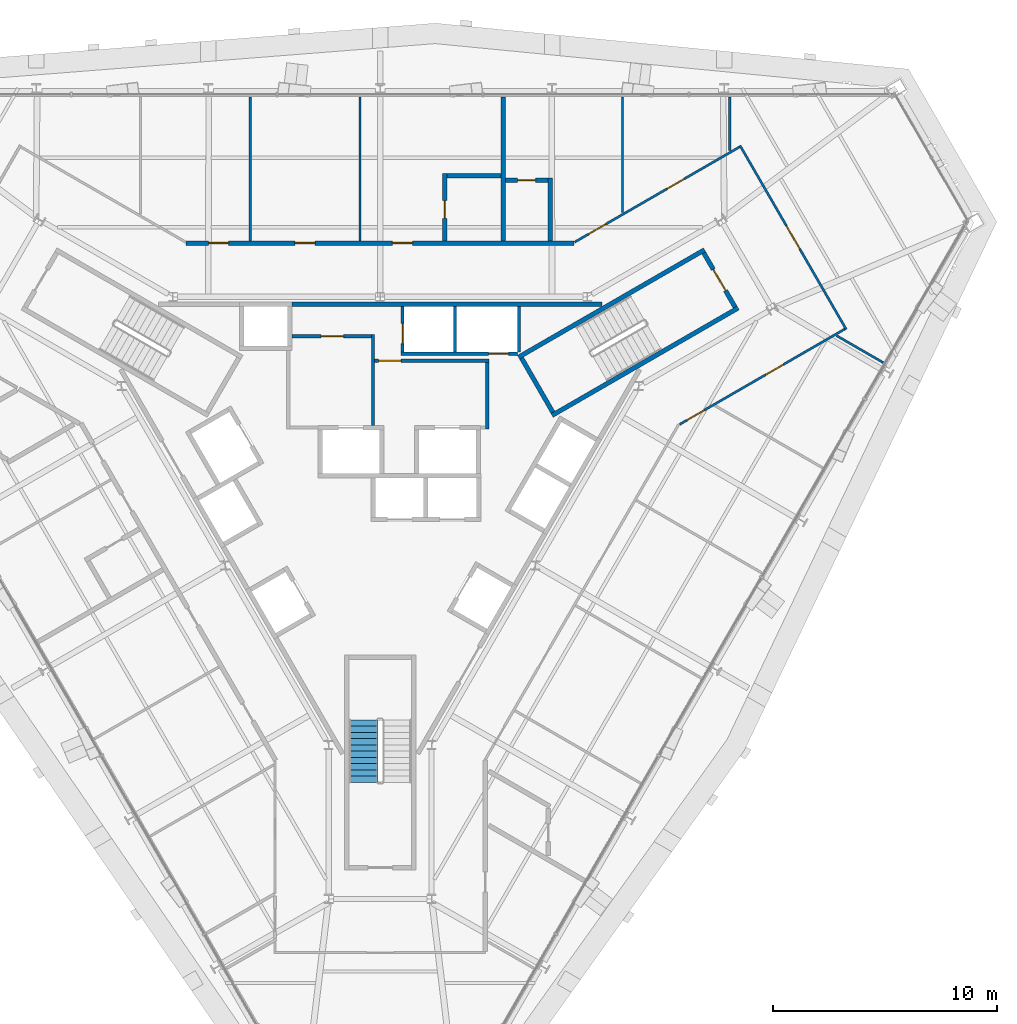
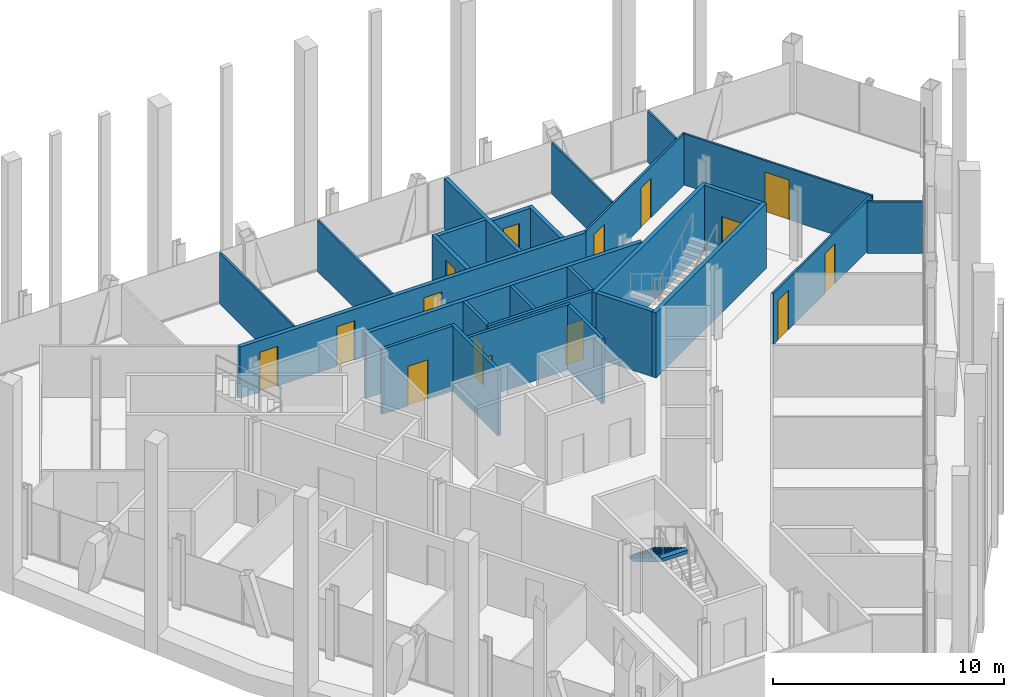
# One storey, part 10 of 13: 27 walls, 15 doors, 1 stair flight, 15 openings, 1 element without a shape of its own.
"""IFC4 building model written with IfcOpenShell, lengths in metres."""

from ifc_helpers import new_model, si_unit, direction, frame, frame_2d, origin, place, context, subcontext, project, spatial, polyline, rectangle, outline, extrude, material, layer, layer_set, type_object, element, fill, aggregate, save


model = new_model("IFC4")

# Units and contexts
model_context = context("Model", 3, precision=1e-05, world=origin(), true_north=direction((0.0, 1.0)))
body_context = subcontext(model_context, "Body", "Model", "MODEL_VIEW")
ifc_project = project(units=[si_unit("LENGTHUNIT", "METRE"), si_unit("AREAUNIT", "SQUARE_METRE"), si_unit("VOLUMEUNIT", "CUBIC_METRE"), si_unit("PLANEANGLEUNIT", "RADIAN"), si_unit("MASSUNIT", "GRAM", prefix="KILO")], contexts=[model_context])

# Site, building, storey
site_placement = place(None, origin())
site = spatial("IfcSite", under=ifc_project, at=site_placement, CompositionType="ELEMENT")
building_placement = place(site_placement, origin())
building = spatial("IfcBuilding", under=site, at=building_placement, Name="Verrane Prism Tower", CompositionType="ELEMENT")
storey_placement = place(building_placement, frame((0.0, 0.0, 159.89990234375)))
storey = spatial("IfcBuildingStorey", under=building, at=storey_placement, Name="L39", CompositionType="ELEMENT", Elevation=159.89990234375)

# Wall
ifc_material_1 = material(Name="Gypsum board partition", Category="other")
ifc_layer_1 = layer(ifc_material_1, 0.199951171875)
ifc_layer_set_1 = layer_set([ifc_layer_1], Name="CW-200 core boundary wall 2 h")
wall_type_1 = type_object("IfcWallType", Name="CW-200 core boundary wall 2 h", PredefinedType="PARTITIONING", material=ifc_layer_set_1)
wall_1_placement = place(storey_placement, frame((-3.93310546875, 7.659912109375, 0.0), z_axis=(0.0, 0.0, 1.0), x_axis=(1.0, 0.0, 0.0)))
element("IfcWall", 1, at=wall_1_placement, inside=storey, type_object=wall_type_1, Name="Core boundary wall CW3-005", PredefinedType="PARTITIONING", context=body_context, shape_type="SweptSolid", body=[
    extrude(rectangle(XDim=13.841064453125, YDim=0.199951171875, at=frame_2d((6.92041015625, 0.0))), origin(), (0.0, 0.0, 1.0), 3.4501953125),
])

# Wall, opening, door
ifc_material_2 = material(Name="Concrete C40/50", Category="concrete")
ifc_layer_2 = layer(ifc_material_2, 0.199951171875)
ifc_layer_set_2 = layer_set([ifc_layer_2], Name="CW-200 stair core wall concrete C40/50 3 h")
wall_type_2 = type_object("IfcWallType", Name="CW-200 stair core wall concrete C40/50 3 h", PredefinedType="PARTITIONING", material=ifc_layer_set_2)
wall_2_placement = place(storey_placement, frame((15.85546875, 7.53759765625, 0.0), z_axis=(0.0, 0.0, 1.0), x_axis=(-0.500049511043, 0.865996816683, 0.0)))
wall_2 = element("IfcWall", 2, at=wall_2_placement, inside=storey, type_object=wall_type_2, Name="Stair 1 enclosure wall", PredefinedType="PARTITIONING", context=body_context, shape_type="SweptSolid", body=[
    extrude(rectangle(XDim=2.800048828125, YDim=0.199951171875, at=frame_2d((1.39990234375, 0.0))), origin(), (0.0, 0.0, 1.0), 3.4501953125),
])
opening_1_placement = place(wall_2_placement, frame((0.849853515625, 0.0, 0.0)))
opening_1 = element("IfcOpeningElement", 3, at=opening_1_placement, cuts=wall_2, Name="Opening D39500", PredefinedType="OPENING", context=body_context, shape_type="SweptSolid", body=[
    extrude(rectangle(XDim=1.10009765625, YDim=2.10009765625, at=frame_2d((0.550048828125, 1.050048828125))), frame((0.0, 0.10986328125, 0.0), z_axis=(0.0, -1.0, 0.0), x_axis=(1.0, 0.0, 0.0)), (0.0, 0.0, 1.0), 0.219970703125),
])
ifc_material_3 = material(Name="Timber veneered door leaf", Category="wood")
door_type_1 = type_object("IfcDoorType", Name="DR-1100x2100 FD90 single leaf stair", OperationType="NOTDEFINED", PredefinedType="DOOR", material=ifc_material_3)
door_1_placement = place(opening_1_placement, origin())
door_1 = element("IfcDoor", 4, at=door_1_placement, inside=storey, type_object=door_type_1, Name="Stair 1 door", OperationType="SINGLE_SWING_LEFT", OverallHeight=2.10009765625, OverallWidth=1.10009765625, PredefinedType="DOOR", context=body_context, shape_type="SweptSolid", body=[
    extrude(rectangle(XDim=1.10009765625, YDim=2.10009765625, at=frame_2d((0.550048828125, 1.050048828125))), frame((0.0, 0.02490234375, 0.0), z_axis=(0.0, -1.0, 0.0), x_axis=(1.0, 0.0, 0.0)), (0.0, 0.0, 1.0), 0.050048828125),
])
fill(opening_1, door_1)

# Walls
for number, where, z_axis, x_axis, name in (
    (5, (6.17822265625, 5.299072265625, 0.0), (0.0, 0.0, 1.0), (0.866019993635, 0.500009370536, 0.0), "Stair 1 enclosure wall"),
    (6, (7.67822265625, 2.700927734375, 0.0), (0.0, 0.0, 1.0), (0.866019993635, 0.500009370536, 0.0), "Stair 1 enclosure wall"),
):
    element("IfcWall", number, at=place(storey_placement, frame(where, z_axis=z_axis, x_axis=x_axis)), inside=storey, type_object=wall_type_2, Name=name, PredefinedType="PARTITIONING", context=body_context, shape_type="SweptSolid", body=[
        extrude(rectangle(XDim=9.599853515625, YDim=0.199951171875, at=frame_2d((4.7998046875, 0.0))), origin(), (0.0, 0.0, 1.0), 3.4501953125),
    ])
wall_3_placement = place(storey_placement, frame((7.71484375, 2.837646484375, 0.0), z_axis=(0.0, 0.0, 1.0), x_axis=(-0.500049511043, 0.865996816683, 0.0)))
element("IfcWall", 7, at=wall_3_placement, inside=storey, type_object=wall_type_2, Name="Stair 1 enclosure wall", PredefinedType="PARTITIONING", context=body_context, shape_type="SweptSolid", body=[
    extrude(rectangle(XDim=2.800048828125, YDim=0.199951171875, at=frame_2d((1.39990234375, 0.0))), origin(), (0.0, 0.0, 1.0), 3.4501953125),
])

# Wall, opening, door
ifc_material_4 = material(Name="Gypsum board partition", Category="other")
ifc_layer_3 = layer(ifc_material_4, 0.14990234375)
ifc_layer_set_3 = layer_set([ifc_layer_3], Name="LF-150 firefighting lobby wall 1 h")
wall_type_3 = type_object("IfcWallType", Name="LF-150 firefighting lobby wall 1 h", PredefinedType="PARTITIONING", material=ifc_layer_set_3)
wall_4_placement = place(storey_placement, frame((-3.93310546875, 6.239990234375, 0.0), z_axis=(0.0, 0.0, 1.0), x_axis=(1.0, 0.0, 0.0)))
wall_4 = element("IfcWall", 8, at=wall_4_placement, inside=storey, type_object=wall_type_3, Name="Firefighting lobby wall LF1-003", PredefinedType="PARTITIONING", context=body_context, shape_type="SweptSolid", body=[
    extrude(rectangle(XDim=3.5380859375, YDim=0.14990234375, at=frame_2d((1.76904296875, 0.0))), origin(), (0.0, 0.0, 1.0), 3.4501953125),
])
opening_2_placement = place(wall_4_placement, frame((1.300048828125, 0.0, 0.0)))
opening_2 = element("IfcOpeningElement", 9, at=opening_2_placement, cuts=wall_4, Name="Opening D39511", PredefinedType="OPENING", context=body_context, shape_type="SweptSolid", body=[
    extrude(rectangle(XDim=1.0, YDim=2.10009765625, at=frame_2d((0.5, 1.050048828125))), frame((0.0, 0.0849609375, 0.0), z_axis=(0.0, -1.0, 0.0), x_axis=(1.0, 0.0, 0.0)), (0.0, 0.0, 1.0), 0.169921875),
])
ifc_material_5 = material(Name="Timber veneered door leaf", Category="wood")
door_type_2 = type_object("IfcDoorType", Name="DR-1000x2100 FD60 single leaf firefighting lobby", OperationType="NOTDEFINED", PredefinedType="DOOR", material=ifc_material_5)
door_2_placement = place(opening_2_placement, origin())
door_2 = element("IfcDoor", 10, at=door_2_placement, inside=storey, type_object=door_type_2, Name="Firefighting lobby door D39511", OperationType="SINGLE_SWING_LEFT", OverallHeight=2.10009765625, OverallWidth=1.0, PredefinedType="DOOR", context=body_context, shape_type="SweptSolid", body=[
    extrude(rectangle(XDim=1.0, YDim=2.10009765625, at=frame_2d((0.5, 1.050048828125))), frame((0.0, 0.02490234375, 0.0), z_axis=(0.0, -1.0, 0.0), x_axis=(1.0, 0.0, 0.0)), (0.0, 0.0, 1.0), 0.050048828125),
])
fill(opening_2, door_2)

# Wall
wall_5_placement = place(storey_placement, frame((-0.320068359375, 2.251953125, 0.0), z_axis=(0.0, 0.0, 1.0), x_axis=(0.0, 1.0, 0.0)))
element("IfcWall", 11, at=wall_5_placement, inside=storey, type_object=wall_type_3, Name="Firefighting lobby wall LF1-004", PredefinedType="PARTITIONING", context=body_context, shape_type="SweptSolid", body=[
    extrude(rectangle(XDim=4.06298828125, YDim=0.14990234375, at=frame_2d((2.031494140625, 0.0))), origin(), (0.0, 0.0, 1.0), 3.4501953125),
])

# Wall, opening, door
wall_6_placement = place(storey_placement, frame((-0.2451171875, 5.139892578125, 0.0), z_axis=(0.0, 0.0, 1.0), x_axis=(1.0, 0.0, 0.0)))
wall_6 = element("IfcWall", 12, at=wall_6_placement, inside=storey, type_object=wall_type_3, Name="Firefighting lobby wall LF1-005", PredefinedType="PARTITIONING", context=body_context, shape_type="SweptSolid", body=[
    extrude(rectangle(XDim=5.110107421875, YDim=0.14990234375, at=frame_2d((2.55517578125, 0.0))), origin(), (0.0, 0.0, 1.0), 3.4501953125),
])
opening_3_placement = place(wall_6_placement, frame((0.175048828125, 0.0, 0.0)))
opening_3 = element("IfcOpeningElement", 13, at=opening_3_placement, cuts=wall_6, Name="Opening D39512", PredefinedType="OPENING", context=body_context, shape_type="SweptSolid", body=[
    extrude(rectangle(XDim=1.0, YDim=2.10009765625, at=frame_2d((0.5, 1.050048828125))), frame((0.0, 0.0849609375, 0.0), z_axis=(0.0, -1.0, 0.0), x_axis=(1.0, 0.0, 0.0)), (0.0, 0.0, 1.0), 0.169921875),
])
door_3_placement = place(opening_3_placement, origin())
door_3 = element("IfcDoor", 14, at=door_3_placement, inside=storey, type_object=door_type_2, Name="Firefighting lobby door D39512", OperationType="SINGLE_SWING_LEFT", OverallHeight=2.10009765625, OverallWidth=1.0, PredefinedType="DOOR", context=body_context, shape_type="SweptSolid", body=[
    extrude(rectangle(XDim=1.0, YDim=2.10009765625, at=frame_2d((0.5, 1.050048828125))), frame((0.0, 0.02490234375, 0.0), z_axis=(0.0, -1.0, 0.0), x_axis=(1.0, 0.0, 0.0)), (0.0, 0.0, 1.0), 0.050048828125),
])
fill(opening_3, door_3)

# Walls
wall_7_placement = place(storey_placement, frame((4.7900390625, 2.0849609375, 0.0), z_axis=(0.0, 0.0, 1.0), x_axis=(0.0, 1.0, 0.0)))
element("IfcWall", 15, at=wall_7_placement, inside=storey, type_object=wall_type_3, Name="Firefighting lobby wall LF1-007", PredefinedType="PARTITIONING", context=body_context, shape_type="SweptSolid", body=[
    extrude(rectangle(XDim=2.97998046875, YDim=0.14990234375, at=frame_2d((1.489990234375, 0.0))), origin(), (0.0, 0.0, 1.0), 3.4501953125),
])
ifc_material_6 = material(Name="Gypsum board partition", Category="other")
ifc_layer_4 = layer(ifc_material_6, 0.10009765625)
ifc_layer_set_4 = layer_set([ifc_layer_4], Name="PW-100 room partition")
wall_type_4 = type_object("IfcWallType", Name="PW-100 room partition", PredefinedType="PARTITIONING", material=ifc_layer_set_4)
for number, where, z_axis, x_axis, name in (
    (16, (-5.81005859375, 10.5, 0.0), (0.0, 0.0, 1.0), (0.0, 1.0, 0.0), "Room partition 020"),
    (17, (-0.906005859375, 10.5, 0.0), (0.0, 0.0, 1.0), (0.0, 1.0, 0.0), "Room partition 025"),
):
    element("IfcWall", number, at=place(storey_placement, frame(where, z_axis=z_axis, x_axis=x_axis)), inside=storey, type_object=wall_type_4, Name=name, PredefinedType="PARTITIONING", context=body_context, shape_type="SweptSolid", body=[
        extrude(rectangle(XDim=6.43505859375, YDim=0.10009765625, at=frame_2d((3.217529296875, 0.0))), origin(), (0.0, 0.0, 1.0), 2.713134765625),
    ])

# Wall, openings, doors
wall_8_placement = place(storey_placement, frame((8.690673828125, 10.4423828125, 0.0), z_axis=(0.0, 0.0, 1.0), x_axis=(0.866070360466, 0.499922124658, 0.0)))
wall_8 = element("IfcWall", 18, at=wall_8_placement, inside=storey, type_object=wall_type_4, Name="Room partition 038", PredefinedType="PARTITIONING", context=body_context, shape_type="SweptSolid", body=[
    extrude(rectangle(XDim=8.502685546875, YDim=0.10009765625, at=frame_2d((4.25146484375, 0.0))), origin(), (0.0, 0.0, 1.0), 2.713134765625),
])
opening_4_placement = place(wall_8_placement, frame((4.758056640625, 0.0, 0.0)))
opening_4 = element("IfcOpeningElement", 19, at=opening_4_placement, cuts=wall_8, Name="Opening D39009", PredefinedType="OPENING", context=body_context, shape_type="SweptSolid", body=[
    extrude(rectangle(XDim=0.89990234375, YDim=2.10009765625, at=frame_2d((0.449951171875, 1.050048828125))), frame((0.0, 0.06005859375, 0.0), z_axis=(0.0, -1.0, 0.0), x_axis=(1.0, 0.0, 0.0)), (0.0, 0.0, 1.0), 0.1201171875),
])
opening_5_placement = place(wall_8_placement, frame((0.715087890625, 0.0, 0.0)))
opening_5 = element("IfcOpeningElement", 20, at=opening_5_placement, cuts=wall_8, Name="Opening D39010", PredefinedType="OPENING", context=body_context, shape_type="SweptSolid", body=[
    extrude(rectangle(XDim=0.89990234375, YDim=2.10009765625, at=frame_2d((0.449951171875, 1.050048828125))), frame((0.0, 0.06005859375, 0.0), z_axis=(0.0, -1.0, 0.0), x_axis=(1.0, 0.0, 0.0)), (0.0, 0.0, 1.0), 0.1201171875),
])
ifc_material_7 = material(Name="Timber veneered door leaf", Category="wood")
door_type_3 = type_object("IfcDoorType", Name="DR-900x2100 single leaf inner", OperationType="NOTDEFINED", PredefinedType="DOOR", material=ifc_material_7)
door_4_placement = place(opening_5_placement, origin())
door_4 = element("IfcDoor", 21, at=door_4_placement, inside=storey, type_object=door_type_3, Name="Bedroom door", OperationType="SINGLE_SWING_RIGHT", OverallHeight=2.10009765625, OverallWidth=0.89990234375, PredefinedType="DOOR", context=body_context, shape_type="SweptSolid", body=[
    extrude(rectangle(XDim=0.89990234375, YDim=2.10009765625, at=frame_2d((0.449951171875, 1.050048828125))), frame((0.0, 0.02490234375, 0.0), z_axis=(0.0, -1.0, 0.0), x_axis=(1.0, 0.0, 0.0)), (0.0, 0.0, 1.0), 0.050048828125),
])
fill(opening_5, door_4)
ifc_material_8 = material(Name="Timber veneered door leaf", Category="wood")
door_type_4 = type_object("IfcDoorType", Name="DR-900x2100 single leaf unit", OperationType="NOTDEFINED", PredefinedType="DOOR", material=ifc_material_8)
door_5_placement = place(opening_4_placement, origin())
door_5 = element("IfcDoor", 22, at=door_5_placement, inside=storey, type_object=door_type_4, Name="Kitchen door", OperationType="SINGLE_SWING_LEFT", OverallHeight=2.10009765625, OverallWidth=0.89990234375, PredefinedType="DOOR", context=body_context, shape_type="SweptSolid", body=[
    extrude(rectangle(XDim=0.89990234375, YDim=2.10009765625, at=frame_2d((0.449951171875, 1.050048828125))), frame((0.0, 0.02490234375, 0.0), z_axis=(0.0, -1.0, 0.0), x_axis=(1.0, 0.0, 0.0)), (0.0, 0.0, 1.0), 0.050048828125),
])
fill(opening_4, door_5)

# Wall
wall_9_placement = place(storey_placement, frame((10.820068359375, 11.757568359375, 0.0), z_axis=(0.0, 0.0, 1.0), x_axis=(0.0, 1.0, 0.0)))
element("IfcWall", 23, at=wall_9_placement, inside=storey, type_object=wall_type_4, Name="Room partition 040", PredefinedType="PARTITIONING", context=body_context, shape_type="SweptSolid", body=[
    extrude(rectangle(XDim=5.177490234375, YDim=0.10009765625, at=frame_2d((2.5888671875, 0.0))), origin(), (0.0, 0.0, 1.0), 2.713134765625),
])

# Wall, openings, doors
wall_10_placement = place(storey_placement, frame((20.755615234375, 6.556884765625, 0.0), z_axis=(0.0, 0.0, 1.0), x_axis=(-0.866069146081, -0.499924228466, 0.0)))
wall_10 = element("IfcWall", 24, at=wall_10_placement, inside=storey, type_object=wall_type_4, Name="Room partition 042", PredefinedType="PARTITIONING", context=body_context, shape_type="SweptSolid", body=[
    extrude(rectangle(XDim=8.518798828125, YDim=0.10009765625, at=frame_2d((4.25927734375, 0.0))), origin(), (0.0, 0.0, 1.0), 2.713134765625),
])
opening_6_placement = place(wall_10_placement, frame((7.239013671875, 0.0, 0.0)))
opening_6 = element("IfcOpeningElement", 25, at=opening_6_placement, cuts=wall_10, Name="Opening D39006", PredefinedType="OPENING", context=body_context, shape_type="SweptSolid", body=[
    extrude(rectangle(XDim=0.89990234375, YDim=2.10009765625, at=frame_2d((0.449951171875, 1.050048828125))), frame((0.0, 0.06005859375, 0.0), z_axis=(0.0, -1.0, 0.0), x_axis=(1.0, 0.0, 0.0)), (0.0, 0.0, 1.0), 0.1201171875),
])
opening_7_placement = place(wall_10_placement, frame((3.169189453125, 0.0, 0.0)))
opening_7 = element("IfcOpeningElement", 26, at=opening_7_placement, cuts=wall_10, Name="Opening D39007", PredefinedType="OPENING", context=body_context, shape_type="SweptSolid", body=[
    extrude(rectangle(XDim=0.89990234375, YDim=2.10009765625, at=frame_2d((0.449951171875, 1.050048828125))), frame((0.0, 0.06005859375, 0.0), z_axis=(0.0, -1.0, 0.0), x_axis=(1.0, 0.0, 0.0)), (0.0, 0.0, 1.0), 0.1201171875),
])
door_6_placement = place(opening_6_placement, origin())
door_6 = element("IfcDoor", 27, at=door_6_placement, inside=storey, type_object=door_type_4, Name="Study door", OperationType="SINGLE_SWING_LEFT", OverallHeight=2.10009765625, OverallWidth=0.89990234375, PredefinedType="DOOR", context=body_context, shape_type="SweptSolid", body=[
    extrude(rectangle(XDim=0.89990234375, YDim=2.10009765625, at=frame_2d((0.449951171875, 1.050048828125))), frame((0.0, 0.02490234375, 0.0), z_axis=(0.0, -1.0, 0.0), x_axis=(1.0, 0.0, 0.0)), (0.0, 0.0, 1.0), 0.050048828125),
])
fill(opening_6, door_6)
door_7_placement = place(opening_7_placement, origin())
door_7 = element("IfcDoor", 28, at=door_7_placement, inside=storey, type_object=door_type_4, Name="Study door", OperationType="SINGLE_SWING_RIGHT", OverallHeight=2.10009765625, OverallWidth=0.89990234375, PredefinedType="DOOR", context=body_context, shape_type="SweptSolid", body=[
    extrude(rectangle(XDim=0.89990234375, YDim=2.10009765625, at=frame_2d((0.449951171875, 1.050048828125))), frame((0.0, 0.02490234375, 0.0), z_axis=(0.0, -1.0, 0.0), x_axis=(1.0, 0.0, 0.0)), (0.0, 0.0, 1.0), 0.050048828125),
])
fill(opening_7, door_7)

# Wall
wall_11_placement = place(storey_placement, frame((15.616943359375, 14.526611328125, 0.0), z_axis=(0.0, 0.0, 1.0), x_axis=(0.0, 1.0, 0.0)))
element("IfcWall", 29, at=wall_11_placement, inside=storey, type_object=wall_type_4, Name="Room partition 044", PredefinedType="PARTITIONING", context=body_context, shape_type="SweptSolid", body=[
    extrude(rectangle(XDim=2.408447265625, YDim=0.10009765625, at=frame_2d((1.2041015625, 0.0))), origin(), (0.0, 0.0, 1.0), 2.713134765625),
])

# Wall, opening, door
wall_12_placement = place(storey_placement, frame((16.072998046875, 14.76123046875, 0.0), z_axis=(0.0, 0.0, 1.0), x_axis=(0.500297300687, -0.865853689098, 0.0)))
wall_12 = element("IfcWall", 30, at=wall_12_placement, inside=storey, type_object=wall_type_4, Name="Room partition 045", PredefinedType="PARTITIONING", context=body_context, shape_type="SweptSolid", body=[
    extrude(rectangle(XDim=9.496337890625, YDim=0.10009765625, at=frame_2d((4.748046875, 0.0))), origin(), (0.0, 0.0, 1.0), 2.713134765625),
])
opening_8_placement = place(wall_12_placement, frame((4.14990234375, 0.0, 0.0)))
opening_8 = element("IfcOpeningElement", 31, at=opening_8_placement, cuts=wall_12, Name="Opening D39008", PredefinedType="OPENING", context=body_context, shape_type="SweptSolid", body=[
    extrude(rectangle(XDim=1.199951171875, YDim=2.10009765625, at=frame_2d((0.60009765625, 1.050048828125))), frame((0.0, 0.06005859375, 0.0), z_axis=(0.0, -1.0, 0.0), x_axis=(1.0, 0.0, 0.0)), (0.0, 0.0, 1.0), 0.1201171875),
])
ifc_material_9 = material(Name="Timber veneered door leaf", Category="wood")
door_type_5 = type_object("IfcDoorType", Name="DR-1200x2100 single leaf unit", OperationType="NOTDEFINED", PredefinedType="DOOR", material=ifc_material_9)
door_8_placement = place(opening_8_placement, origin())
door_8 = element("IfcDoor", 32, at=door_8_placement, inside=storey, type_object=door_type_5, Name="Living And Dining Room door", OperationType="SINGLE_SWING_RIGHT", OverallHeight=2.10009765625, OverallWidth=1.199951171875, PredefinedType="DOOR", context=body_context, shape_type="SweptSolid", body=[
    extrude(rectangle(XDim=1.199951171875, YDim=2.10009765625, at=frame_2d((0.60009765625, 1.050048828125))), frame((0.0, 0.02490234375, 0.0), z_axis=(0.0, -1.0, 0.0), x_axis=(1.0, 0.0, 0.0)), (0.0, 0.0, 1.0), 0.050048828125),
])
fill(opening_8, door_8)

# Wall
wall_13_placement = place(storey_placement, frame((20.39208984375, 6.2607421875, 0.0), z_axis=(0.0, 0.0, 1.0), x_axis=(0.865953976614, -0.500123695086, 0.0)))
element("IfcWall", 33, at=wall_13_placement, inside=storey, type_object=wall_type_4, Name="Room partition 046", PredefinedType="PARTITIONING", context=body_context, shape_type="SweptSolid", body=[
    extrude(rectangle(XDim=2.4052734375, YDim=0.10009765625, at=frame_2d((1.20263671875, 0.0))), origin(), (0.0, 0.0, 1.0), 2.713134765625),
])

# Wall, openings, doors
ifc_material_10 = material(Name="Gypsum board partition", Category="other")
ifc_layer_5 = layer(ifc_material_10, 0.199951171875)
ifc_layer_set_5 = layer_set([ifc_layer_5], Name="PW-200 plumbing wall")
wall_type_5 = type_object("IfcWallType", Name="PW-200 plumbing wall", PredefinedType="PARTITIONING", material=ifc_layer_set_5)
wall_14_placement = place(storey_placement, frame((-8.6669921875, 10.39990234375, 0.0), z_axis=(0.0, 0.0, 1.0), x_axis=(1.0, 0.0, 0.0)))
wall_14 = element("IfcWall", 34, at=wall_14_placement, inside=storey, type_object=wall_type_5, Name="Plumbing wall 017", PredefinedType="PARTITIONING", context=body_context, shape_type="SweptSolid", body=[
    extrude(rectangle(XDim=17.333984375, YDim=0.199951171875, at=frame_2d((8.6669921875, 0.0))), origin(), (0.0, 0.0, 1.0), 2.713134765625),
])
opening_9_placement = place(wall_14_placement, frame((9.2109375, 0.0, 0.0)))
opening_9 = element("IfcOpeningElement", 35, at=opening_9_placement, cuts=wall_14, Name="Opening D39012", PredefinedType="OPENING", context=body_context, shape_type="SweptSolid", body=[
    extrude(rectangle(XDim=0.89990234375, YDim=2.10009765625, at=frame_2d((0.449951171875, 1.050048828125))), frame((0.0, 0.10986328125, 0.0), z_axis=(0.0, -1.0, 0.0), x_axis=(1.0, 0.0, 0.0)), (0.0, 0.0, 1.0), 0.219970703125),
])
opening_10_placement = place(wall_14_placement, frame((4.85693359375, 0.0, 0.0)))
opening_10 = element("IfcOpeningElement", 36, at=opening_10_placement, cuts=wall_14, Name="Opening D39014", PredefinedType="OPENING", context=body_context, shape_type="SweptSolid", body=[
    extrude(rectangle(XDim=0.89990234375, YDim=2.10009765625, at=frame_2d((0.449951171875, 1.050048828125))), frame((0.0, 0.10986328125, 0.0), z_axis=(0.0, -1.0, 0.0), x_axis=(1.0, 0.0, 0.0)), (0.0, 0.0, 1.0), 0.219970703125),
])
opening_11_placement = place(wall_14_placement, frame((1.0, 0.0, 0.0)))
opening_11 = element("IfcOpeningElement", 37, at=opening_11_placement, cuts=wall_14, Name="Opening D39015", PredefinedType="OPENING", context=body_context, shape_type="SweptSolid", body=[
    extrude(rectangle(XDim=0.89990234375, YDim=2.10009765625, at=frame_2d((0.449951171875, 1.050048828125))), frame((0.0, 0.10986328125, 0.0), z_axis=(0.0, -1.0, 0.0), x_axis=(1.0, 0.0, 0.0)), (0.0, 0.0, 1.0), 0.219970703125),
])
door_9_placement = place(opening_9_placement, origin())
door_9 = element("IfcDoor", 38, at=door_9_placement, inside=storey, type_object=door_type_3, Name="Master Bedroom door", OperationType="SINGLE_SWING_RIGHT", OverallHeight=2.10009765625, OverallWidth=0.89990234375, PredefinedType="DOOR", context=body_context, shape_type="SweptSolid", body=[
    extrude(rectangle(XDim=0.89990234375, YDim=2.10009765625, at=frame_2d((0.449951171875, 1.050048828125))), frame((0.0, 0.02490234375, 0.0), z_axis=(0.0, -1.0, 0.0), x_axis=(1.0, 0.0, 0.0)), (0.0, 0.0, 1.0), 0.050048828125),
])
fill(opening_9, door_9)
door_10_placement = place(opening_10_placement, origin())
door_10 = element("IfcDoor", 39, at=door_10_placement, inside=storey, type_object=door_type_4, Name="Utility Room door", OperationType="SINGLE_SWING_RIGHT", OverallHeight=2.10009765625, OverallWidth=0.89990234375, PredefinedType="DOOR", context=body_context, shape_type="SweptSolid", body=[
    extrude(rectangle(XDim=0.89990234375, YDim=2.10009765625, at=frame_2d((0.449951171875, 1.050048828125))), frame((0.0, 0.02490234375, 0.0), z_axis=(0.0, -1.0, 0.0), x_axis=(1.0, 0.0, 0.0)), (0.0, 0.0, 1.0), 0.050048828125),
])
fill(opening_10, door_10)
door_11_placement = place(opening_11_placement, origin())
door_11 = element("IfcDoor", 40, at=door_11_placement, inside=storey, type_object=door_type_4, Name="Utility Room door", OperationType="SINGLE_SWING_LEFT", OverallHeight=2.10009765625, OverallWidth=0.89990234375, PredefinedType="DOOR", context=body_context, shape_type="SweptSolid", body=[
    extrude(rectangle(XDim=0.89990234375, YDim=2.10009765625, at=frame_2d((0.449951171875, 1.050048828125))), frame((0.0, 0.02490234375, 0.0), z_axis=(0.0, -1.0, 0.0), x_axis=(1.0, 0.0, 0.0)), (0.0, 0.0, 1.0), 0.050048828125),
])
fill(opening_11, door_11)

# Wall, opening, door
wall_15_placement = place(storey_placement, frame((2.889892578125, 13.5, 0.0), z_axis=(0.0, 0.0, 1.0), x_axis=(0.0, -1.0, 0.0)))
wall_15 = element("IfcWall", 41, at=wall_15_placement, inside=storey, type_object=wall_type_5, Name="Plumbing wall 026", PredefinedType="PARTITIONING", context=body_context, shape_type="SweptSolid", body=[
    extrude(rectangle(XDim=3.0, YDim=0.199951171875, at=frame_2d((1.5, 0.0))), origin(), (0.0, 0.0, 1.0), 2.713134765625),
])
opening_12_placement = place(wall_15_placement, frame((1.199951171875, 0.0, 0.0)))
opening_12 = element("IfcOpeningElement", 42, at=opening_12_placement, cuts=wall_15, Name="Opening D39013", PredefinedType="OPENING", context=body_context, shape_type="SweptSolid", body=[
    extrude(rectangle(XDim=0.800048828125, YDim=2.10009765625, at=frame_2d((0.39990234375, 1.050048828125))), frame((0.0, 0.10986328125, 0.0), z_axis=(0.0, -1.0, 0.0), x_axis=(1.0, 0.0, 0.0)), (0.0, 0.0, 1.0), 0.219970703125),
])
ifc_material_11 = material(Name="Timber veneered door leaf", Category="wood")
door_type_6 = type_object("IfcDoorType", Name="DR-800x2100 single leaf bath", OperationType="NOTDEFINED", PredefinedType="DOOR", material=ifc_material_11)
door_12_placement = place(opening_12_placement, origin())
door_12 = element("IfcDoor", 43, at=door_12_placement, inside=storey, type_object=door_type_6, Name="Master Bathroom door", OperationType="SINGLE_SWING_RIGHT", OverallHeight=2.10009765625, OverallWidth=0.800048828125, PredefinedType="DOOR", context=body_context, shape_type="SweptSolid", body=[
    extrude(rectangle(XDim=0.800048828125, YDim=2.10009765625, at=frame_2d((0.39990234375, 1.050048828125))), frame((0.0, 0.02490234375, 0.0), z_axis=(0.0, -1.0, 0.0), x_axis=(1.0, 0.0, 0.0)), (0.0, 0.0, 1.0), 0.050048828125),
])
fill(opening_12, door_12)

# Walls
wall_16_placement = place(storey_placement, frame((2.989990234375, 13.39990234375, 0.0), z_axis=(0.0, 0.0, 1.0), x_axis=(1.0, 0.0, 0.0)))
element("IfcWall", 44, at=wall_16_placement, inside=storey, type_object=wall_type_5, Name="Plumbing wall 027", PredefinedType="PARTITIONING", context=body_context, shape_type="SweptSolid", body=[
    extrude(rectangle(XDim=2.39990234375, YDim=0.199951171875, at=frame_2d((1.199951171875, 0.0))), origin(), (0.0, 0.0, 1.0), 2.713134765625),
])
wall_17_placement = place(storey_placement, frame((5.489990234375, 10.5, 0.0), z_axis=(0.0, 0.0, 1.0), x_axis=(0.0, 1.0, 0.0)))
element("IfcWall", 45, at=wall_17_placement, inside=storey, type_object=wall_type_5, Name="Plumbing wall 033", PredefinedType="PARTITIONING", context=body_context, shape_type="SweptSolid", body=[
    extrude(rectangle(XDim=6.43505859375, YDim=0.199951171875, at=frame_2d((3.217529296875, 0.0))), origin(), (0.0, 0.0, 1.0), 2.713134765625),
])

# Wall, opening, door
wall_18_placement = place(storey_placement, frame((7.489990234375, 13.199951171875, 0.0), z_axis=(0.0, 0.0, 1.0), x_axis=(-1.0, 0.0, 0.0)))
wall_18 = element("IfcWall", 46, at=wall_18_placement, inside=storey, type_object=wall_type_5, Name="Plumbing wall 034", PredefinedType="PARTITIONING", context=body_context, shape_type="SweptSolid", body=[
    extrude(rectangle(XDim=1.89990234375, YDim=0.199951171875, at=frame_2d((0.949951171875, 0.0))), origin(), (0.0, 0.0, 1.0), 2.713134765625),
])
opening_13_placement = place(wall_18_placement, frame((0.550048828125, 0.0, 0.0)))
opening_13 = element("IfcOpeningElement", 47, at=opening_13_placement, cuts=wall_18, Name="Opening D39011", PredefinedType="OPENING", context=body_context, shape_type="SweptSolid", body=[
    extrude(rectangle(XDim=0.800048828125, YDim=2.10009765625, at=frame_2d((0.39990234375, 1.050048828125))), frame((0.0, 0.10986328125, 0.0), z_axis=(0.0, -1.0, 0.0), x_axis=(1.0, 0.0, 0.0)), (0.0, 0.0, 1.0), 0.219970703125),
])
door_13_placement = place(opening_13_placement, origin())
door_13 = element("IfcDoor", 48, at=door_13_placement, inside=storey, type_object=door_type_6, Name="Bathroom door", OperationType="SINGLE_SWING_RIGHT", OverallHeight=2.10009765625, OverallWidth=0.800048828125, PredefinedType="DOOR", context=body_context, shape_type="SweptSolid", body=[
    extrude(rectangle(XDim=0.800048828125, YDim=2.10009765625, at=frame_2d((0.39990234375, 1.050048828125))), frame((0.0, 0.02490234375, 0.0), z_axis=(0.0, -1.0, 0.0), x_axis=(1.0, 0.0, 0.0)), (0.0, 0.0, 1.0), 0.050048828125),
])
fill(opening_13, door_13)

# Wall
wall_19_placement = place(storey_placement, frame((7.590087890625, 10.5, 0.0), z_axis=(0.0, 0.0, 1.0), x_axis=(0.0, 1.0, 0.0)))
element("IfcWall", 49, at=wall_19_placement, inside=storey, type_object=wall_type_5, Name="Plumbing wall 037", PredefinedType="PARTITIONING", context=body_context, shape_type="SweptSolid", body=[
    extrude(rectangle(XDim=2.800048828125, YDim=0.199951171875, at=frame_2d((1.39990234375, 0.0))), origin(), (0.0, 0.0, 1.0), 2.713134765625),
])

# Wall, opening, door
ifc_material_12 = material(Name="Gypsum board partition", Category="other")
ifc_layer_6 = layer(ifc_material_12, 0.14990234375)
ifc_layer_set_6 = layer_set([ifc_layer_6], Name="RS-150 riser enclosure wall 1 h")
wall_type_6 = type_object("IfcWallType", Name="RS-150 riser enclosure wall 1 h", PredefinedType="PARTITIONING", material=ifc_layer_set_6)
wall_20_placement = place(storey_placement, frame((1.0, 7.56005859375, 0.0), z_axis=(0.0, 0.0, 1.0), x_axis=(0.0, -1.0, 0.0)))
wall_20 = element("IfcWall", 50, at=wall_20_placement, inside=storey, type_object=wall_type_6, Name="Riser wall RS3-001", PredefinedType="PARTITIONING", context=body_context, shape_type="SweptSolid", body=[
    extrude(rectangle(XDim=2.025146484375, YDim=0.14990234375, at=frame_2d((1.0126953125, 0.0))), origin(), (0.0, 0.0, 1.0), 3.4501953125),
])
opening_14_placement = place(wall_20_placement, frame((0.75, 0.0, 0.0)))
opening_14 = element("IfcOpeningElement", 51, at=opening_14_placement, cuts=wall_20, Name="Opening D39513", PredefinedType="OPENING", context=body_context, shape_type="SweptSolid", body=[
    extrude(rectangle(XDim=0.89990234375, YDim=2.10009765625, at=frame_2d((0.449951171875, 1.050048828125))), frame((0.0, 0.0849609375, 0.0), z_axis=(0.0, -1.0, 0.0), x_axis=(1.0, 0.0, 0.0)), (0.0, 0.0, 1.0), 0.169921875),
])
ifc_material_13 = material(Name="Timber veneered door leaf", Category="wood")
door_type_7 = type_object("IfcDoorType", Name="DR-900x2100 FD60 single leaf riser", OperationType="NOTDEFINED", PredefinedType="DOOR", material=ifc_material_13)
door_14_placement = place(opening_14_placement, origin())
door_14 = element("IfcDoor", 52, at=door_14_placement, inside=storey, type_object=door_type_7, Name="Riser door D39513", OperationType="SINGLE_SWING_RIGHT", OverallHeight=2.10009765625, OverallWidth=0.89990234375, PredefinedType="DOOR", context=body_context, shape_type="SweptSolid", body=[
    extrude(rectangle(XDim=0.89990234375, YDim=2.10009765625, at=frame_2d((0.449951171875, 1.050048828125))), frame((0.0, 0.02490234375, 0.0), z_axis=(0.0, -1.0, 0.0), x_axis=(1.0, 0.0, 0.0)), (0.0, 0.0, 1.0), 0.050048828125),
])
fill(opening_14, door_14)

wall_21_placement = place(storey_placement, frame((0.925048828125, 5.4599609375, 0.0), z_axis=(0.0, 0.0, 1.0), x_axis=(1.0, 0.0, 0.0)))
wall_21 = element("IfcWall", 53, at=wall_21_placement, inside=storey, type_object=wall_type_6, Name="Riser wall RS3-002", PredefinedType="PARTITIONING", context=body_context, shape_type="SweptSolid", body=[
    extrude(rectangle(XDim=5.219970703125, YDim=0.14990234375, at=frame_2d((2.60986328125, 0.0))), origin(), (0.0, 0.0, 1.0), 3.4501953125),
])
opening_15_placement = place(wall_21_placement, frame((3.9150390625, 0.0, 0.0)))
opening_15 = element("IfcOpeningElement", 54, at=opening_15_placement, cuts=wall_21, Name="Opening D39514", PredefinedType="OPENING", context=body_context, shape_type="SweptSolid", body=[
    extrude(rectangle(XDim=0.89990234375, YDim=2.10009765625, at=frame_2d((0.449951171875, 1.050048828125))), frame((0.0, 0.0849609375, 0.0), z_axis=(0.0, -1.0, 0.0), x_axis=(1.0, 0.0, 0.0)), (0.0, 0.0, 1.0), 0.169921875),
])
door_15_placement = place(opening_15_placement, origin())
door_15 = element("IfcDoor", 55, at=door_15_placement, inside=storey, type_object=door_type_7, Name="Riser door D39514", OperationType="SINGLE_SWING_RIGHT", OverallHeight=2.10009765625, OverallWidth=0.89990234375, PredefinedType="DOOR", context=body_context, shape_type="SweptSolid", body=[
    extrude(rectangle(XDim=0.89990234375, YDim=2.10009765625, at=frame_2d((0.449951171875, 1.050048828125))), frame((0.0, 0.02490234375, 0.0), z_axis=(0.0, -1.0, 0.0), x_axis=(1.0, 0.0, 0.0)), (0.0, 0.0, 1.0), 0.050048828125),
])
fill(opening_15, door_15)

# Walls
for number, where, z_axis, x_axis, name in (
    (56, (3.340087890625, 5.534912109375, 0.0), (0.0, 0.0, 1.0), (0.0, 1.0, 0.0), "Riser wall RS3-003"),
    (57, (6.199951171875, 5.534912109375, 0.0), (0.0, 0.0, 1.0), (0.0, 1.0, 0.0), "Riser wall RS3-004"),
):
    element("IfcWall", number, at=place(storey_placement, frame(where, z_axis=z_axis, x_axis=x_axis)), inside=storey, type_object=wall_type_6, Name=name, PredefinedType="PARTITIONING", context=body_context, shape_type="SweptSolid", body=[
        extrude(rectangle(XDim=2.025146484375, YDim=0.14990234375, at=frame_2d((1.0126953125, 0.0))), origin(), (0.0, 0.0, 1.0), 3.4501953125),
    ])

# Stair, stair flight
ifc_material_14 = material(Name="Concrete C40/50", Category="concrete")
stair_type = type_object("IfcStairType", Name="Exit stair 1300 dog-leg precast concrete C40/50", PredefinedType="HALF_TURN_STAIR", material=ifc_material_14)
stair_placement = place(storey_placement, origin())
stair = element("IfcStair", 58, at=stair_placement, inside=storey, type_object=stair_type, Name="Stair 3 L39", PredefinedType="HALF_TURN_STAIR")
ifc_material_15 = material(Name="Concrete C40/50", Category="concrete")
stair_flight_type = type_object("IfcStairFlightType", Name="Stair flight 1300 precast concrete C40/50", PredefinedType="STRAIGHT", material=ifc_material_15)
stair_flight_placement = place(storey_placement, frame((-0.75, -10.89990234375, 1.85009765625), z_axis=(0.0, 0.0, 1.0), x_axis=(0.0, -1.0, 0.0)))
stair_flight = element("IfcStairFlight", 59, at=stair_flight_placement, type_object=stair_flight_type, Name="Stair 3 flight 2", NumberOfRisers=11, NumberOfTreads=10, PredefinedType="STRAIGHT", RiserHeight=0.168181818, TreadLength=0.28, context=body_context, shape_type="SweptSolid", body=[
    extrude(outline(polyline([(0.0, 0.0), (0.0, 0.168212890625), (0.280029296875, 0.168212890625), (0.280029296875, 0.33642578125), (0.56005859375, 0.33642578125), (0.56005859375, 0.504638671875), (0.840087890625, 0.504638671875), (0.840087890625, 0.672607421875), (1.1201171875, 0.672607421875), (1.1201171875, 0.8408203125), (1.39990234375, 0.8408203125), (1.39990234375, 1.009033203125), (1.679931640625, 1.009033203125), (1.679931640625, 1.17724609375), (1.9599609375, 1.17724609375), (1.9599609375, 1.345458984375), (2.239990234375, 1.345458984375), (2.239990234375, 1.513671875), (2.52001953125, 1.513671875), (2.52001953125, 1.681884765625), (2.800048828125, 1.681884765625), (2.800048828125, 1.85009765625), (2.800048828125, 1.5068359375), (0.291015625, 0.0), (0.0, 0.0)])), frame((0.0, 0.64990234375, 0.0), z_axis=(0.0, -1.0, 0.0), x_axis=(1.0, 0.0, 0.0)), (0.0, 0.0, 1.0), 1.300048828125),
])
aggregate(stair, [stair_flight])

save(model, "model.ifc")
